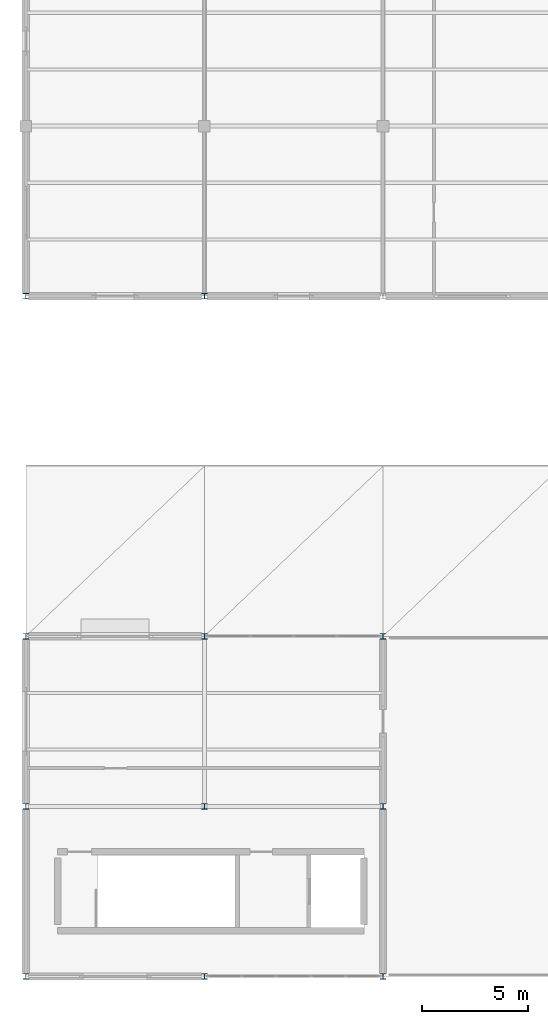
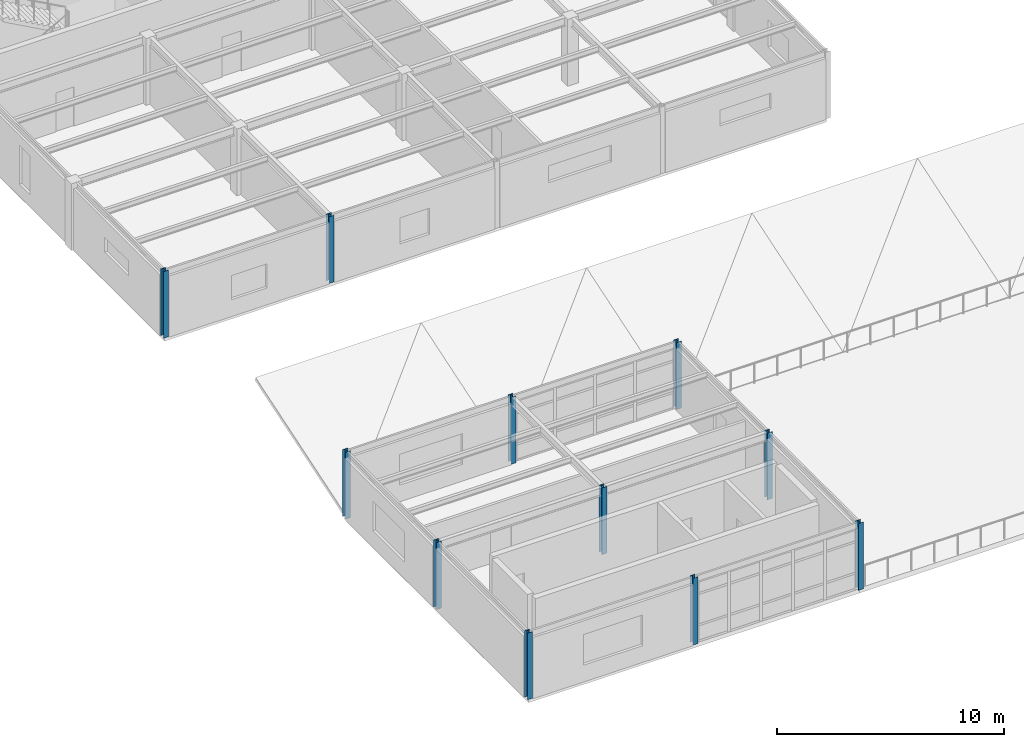
# One storey, part 1 of 53: 11 columns.
"""IFC4 building model written with IfcOpenShell, lengths in metres."""

from ifc_helpers import new_model, si_unit, direction, frame, origin, origin_2d, place, context, subcontext, project, spatial, i_section, extrude, material, material_profile, profile_set, type_object, element, save


model = new_model("IFC4")

# Units and contexts
model_context = context("Model", 3, precision=1e-05, world=origin(), true_north=direction((0.0, 1.0)))
body_context = subcontext(model_context, "Body", "Model", "MODEL_VIEW")
ifc_project = project(units=[si_unit("LENGTHUNIT", "METRE"), si_unit("AREAUNIT", "SQUARE_METRE"), si_unit("VOLUMEUNIT", "CUBIC_METRE"), si_unit("PLANEANGLEUNIT", "RADIAN"), si_unit("MASSUNIT", "GRAM", prefix="KILO")], contexts=[model_context])

# Site, building, storey
site_placement = place(None, origin())
site = spatial("IfcSite", under=ifc_project, at=site_placement, CompositionType="ELEMENT")
building_placement = place(site_placement, origin())
building = spatial("IfcBuilding", under=site, at=building_placement, Name="Kranzveld Transit Interchange", CompositionType="ELEMENT")
storey_placement = place(building_placement, frame((0.0, 0.0, 13.360107421875)))
storey = spatial("IfcBuildingStorey", under=building, at=storey_placement, Name="L03", CompositionType="ELEMENT", Elevation=13.360107421875)

# Columns
ifc_material = material(Name="Steel S355JR", Category="steel")
ifc_material_profile = material_profile(ifc_material, i_section(OverallWidth=0.25634765625, OverallDepth=0.26025390625, WebThickness=0.01025390625, FlangeThickness=0.017333984375, FilletRadius=0.0126953125, at=origin_2d()), Name="UC 254x254x89")
ifc_profile_set = profile_set([ifc_material_profile], Name="Steel S355JR")
column_type = type_object("IfcColumnType", Name="Column Steel UC 254x254x89 S355JR", PredefinedType="COLUMN", material=ifc_profile_set)
for number, where, z_axis, x_axis, name in (
    (1, (0.0, 16.0, 0.0), (0.0, 0.0, 1.0), (1.0, 0.0, 0.0), "L03 Column 01/C"),
    (2, (0.0, 24.0, 0.0), (0.0, 0.0, 1.0), (1.0, 0.0, 0.0), "L03 Column 01/D"),
    (3, (0.0, 32.0, 0.0), (0.0, 0.0, 1.0), (1.0, 0.0, 0.0), "L03 Column 01/E"),
    (4, (0.0, 48.0, 0.0), (0.0, 0.0, 1.0), (1.0, 0.0, 0.0), "L03 Column 01/G"),
    (5, (8.39990234375, 16.0, 0.0), (0.0, 0.0, 1.0), (1.0, 0.0, 0.0), "L03 Column 02/C"),
    (6, (8.39990234375, 24.0, 0.0), (0.0, 0.0, 1.0), (1.0, 0.0, 0.0), "L03 Column 02/D"),
    (7, (8.39990234375, 32.0, 0.0), (0.0, 0.0, 1.0), (1.0, 0.0, 0.0), "L03 Column 02/E"),
    (8, (8.39990234375, 48.0, 0.0), (0.0, 0.0, 1.0), (1.0, 0.0, 0.0), "L03 Column 02/G"),
    (9, (16.800048828125, 16.0, 0.0), (0.0, 0.0, 1.0), (1.0, 0.0, 0.0), "L03 Column 03/C"),
    (10, (16.800048828125, 24.0, 0.0), (0.0, 0.0, 1.0), (1.0, 0.0, 0.0), "L03 Column 03/D"),
    (11, (16.800048828125, 32.0, 0.0), (0.0, 0.0, 1.0), (1.0, 0.0, 0.0), "L03 Column 03/E"),
):
    element("IfcColumn", number, at=place(storey_placement, frame(where, z_axis=z_axis, x_axis=x_axis)), inside=storey, type_object=column_type, Name=name, PredefinedType="COLUMN", context=body_context, shape_type="SweptSolid", body=[
        extrude(i_section(OverallWidth=0.25634765625, OverallDepth=0.26025390625, WebThickness=0.01025390625, FlangeThickness=0.017333984375, FilletRadius=0.0126953125, at=origin_2d()), origin(), (0.0, 0.0, 1.0), 3.579833984375),
    ])

save(model, "model.ifc")
